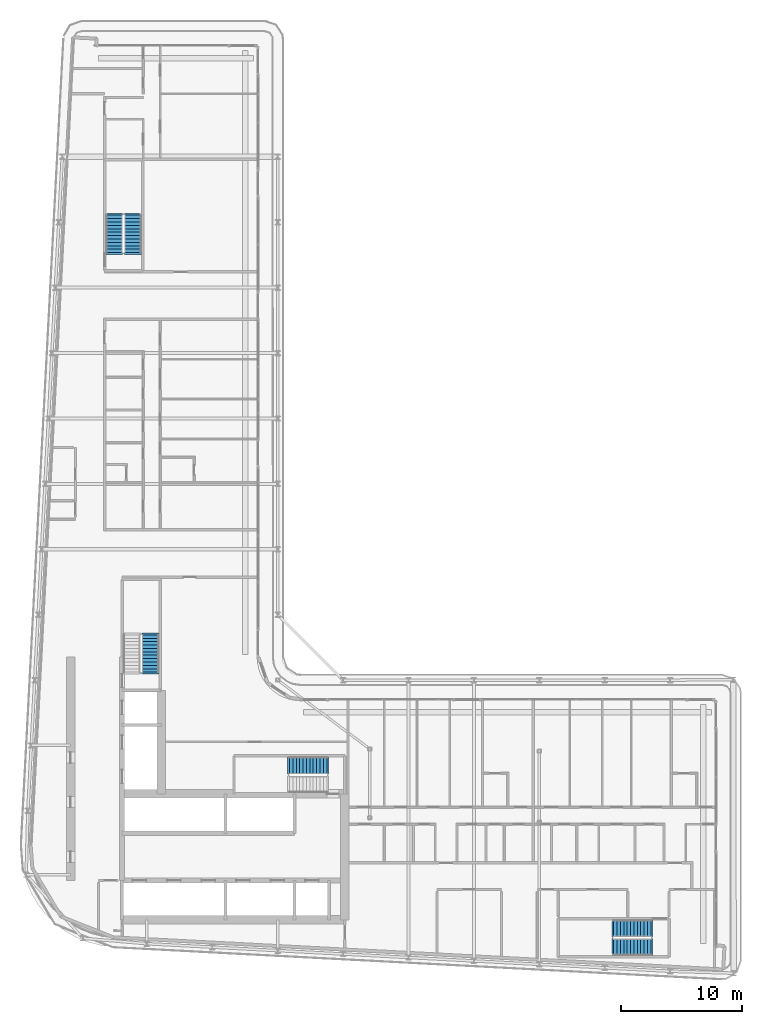
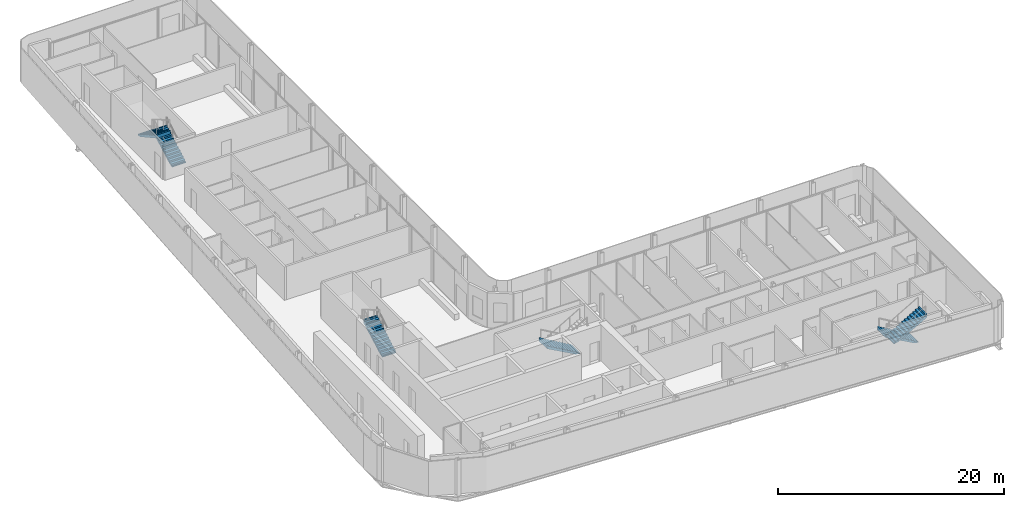
# One storey, part 16 of 23: 6 stair flights, 4 elements without a shape of their own.
"""IFC4 building model written with IfcOpenShell, lengths in metres."""

from ifc_helpers import new_model, si_unit, direction, frame, origin, place, context, subcontext, project, spatial, polyline, outline, extrude, material, layer, layer_set, type_object, element, aggregate, save


model = new_model("IFC4")

# Units and contexts
model_context = context("Model", 3, precision=1e-05, world=origin(), true_north=direction((0.0, 1.0)))
body_context = subcontext(model_context, "Body", "Model", "MODEL_VIEW")
ifc_project = project(units=[si_unit("LENGTHUNIT", "METRE"), si_unit("AREAUNIT", "SQUARE_METRE"), si_unit("VOLUMEUNIT", "CUBIC_METRE"), si_unit("PLANEANGLEUNIT", "RADIAN"), si_unit("MASSUNIT", "GRAM", prefix="KILO")], contexts=[model_context])

# Site, building, storey
site_placement = place(None, origin())
site = spatial("IfcSite", under=ifc_project, at=site_placement, CompositionType="ELEMENT")
building_placement = place(site_placement, origin())
building = spatial("IfcBuilding", under=site, at=building_placement, Name="Kheshtan School and Residences Tower", CompositionType="ELEMENT")
storey_placement = place(building_placement, frame((0.0, 0.0, 243.5)))
storey = spatial("IfcBuildingStorey", under=building, at=storey_placement, Name="L57", CompositionType="ELEMENT", Elevation=243.5)

# Stair, stair flight
ifc_material = material(Name="Concrete C40/50", Category="concrete")
stair_type = type_object("IfcStairType", Name="Exit stair, half-turn", PredefinedType="HALF_TURN_STAIR", material=ifc_material)
stair_1_placement = place(storey_placement, origin())
stair_1 = element("IfcStair", 1, at=stair_1_placement, inside=storey, type_object=stair_type, Name="L57 Protected Exit Stair ST1", PredefinedType="HALF_TURN_STAIR")
ifc_layer = layer(ifc_material, 0.14990234375)
ifc_layer_set = layer_set([ifc_layer], Name="Stair flight 1400 Concrete C40/50")
stair_flight_type = type_object("IfcStairFlightType", Name="Stair flight 1400 Concrete C40/50", PredefinedType="STRAIGHT", material=ifc_layer_set)
stair_flight_1_placement = place(storey_placement, frame((51.64990234375, 38.550048828125, 0.0), z_axis=(0.0, 0.0, 1.0), x_axis=(-1.0, 0.0, 0.0)))
stair_flight_1 = element("IfcStairFlight", 2, at=stair_flight_1_placement, type_object=stair_flight_type, Name="ST1 flight 1", NumberOfRisers=12, NumberOfTreads=11, PredefinedType="STRAIGHT", RiserHeight=0.1625, TreadLength=0.28, context=body_context, shape_type="SweptSolid", body=[
    extrude(outline(polyline([(-0.14990234375, -0.10009765625), (-0.14990234375, 0.0), (0.0, 0.0), (0.0, 0.16259765625), (0.280029296875, 0.16259765625), (0.280029296875, 0.324951171875), (0.56005859375, 0.324951171875), (0.56005859375, 0.487548828125), (0.840087890625, 0.487548828125), (0.840087890625, 0.64990234375), (1.1201171875, 0.64990234375), (1.1201171875, 0.8125), (1.39990234375, 0.8125), (1.39990234375, 0.97509765625), (1.679931640625, 0.97509765625), (1.679931640625, 1.137451171875), (1.9599609375, 1.137451171875), (1.9599609375, 1.300048828125), (2.239990234375, 1.300048828125), (2.239990234375, 1.46240234375), (2.52001953125, 1.46240234375), (2.52001953125, 1.625), (2.800048828125, 1.625), (2.800048828125, 1.78759765625), (3.080078125, 1.78759765625), (3.080078125, 1.949951171875), (3.080078125, 1.969970703125), (3.22998046875, 1.969970703125), (3.22998046875, 1.6142578125), (0.298583984375, 0.0), (-0.14990234375, -0.10009765625)])), frame((0.0, 0.699951171875, 0.0), z_axis=(0.0, -1.0, 0.0), x_axis=(1.0, 0.0, 0.0)), (0.0, 0.0, 1.0), 1.39990234375),
])
aggregate(stair_1, [stair_flight_1])

stair_2_placement = place(storey_placement, origin())
stair_2 = element("IfcStair", 3, at=stair_2_placement, inside=storey, type_object=stair_type, Name="L57 Protected Exit Stair ST2", PredefinedType="HALF_TURN_STAIR")
stair_flight_2_placement = place(storey_placement, frame((37.10009765625, 46.25, 0.0), z_axis=(0.0, 0.0, 1.0), x_axis=(0.0, 1.0, 0.0)))
stair_flight_2 = element("IfcStairFlight", 4, at=stair_flight_2_placement, type_object=stair_flight_type, Name="ST2 flight 1", NumberOfRisers=12, NumberOfTreads=11, PredefinedType="STRAIGHT", RiserHeight=0.1625, TreadLength=0.28, context=body_context, shape_type="SweptSolid", body=[
    extrude(outline(polyline([(-0.14990234375, -0.10009765625), (-0.14990234375, 0.0), (0.0, 0.0), (0.0, 0.16259765625), (0.280029296875, 0.16259765625), (0.280029296875, 0.324951171875), (0.56005859375, 0.324951171875), (0.56005859375, 0.487548828125), (0.840087890625, 0.487548828125), (0.840087890625, 0.64990234375), (1.1201171875, 0.64990234375), (1.1201171875, 0.8125), (1.39990234375, 0.8125), (1.39990234375, 0.97509765625), (1.679931640625, 0.97509765625), (1.679931640625, 1.137451171875), (1.9599609375, 1.137451171875), (1.9599609375, 1.300048828125), (2.239990234375, 1.300048828125), (2.239990234375, 1.46240234375), (2.52001953125, 1.46240234375), (2.52001953125, 1.625), (2.800048828125, 1.625), (2.800048828125, 1.78759765625), (3.080078125, 1.78759765625), (3.080078125, 1.949951171875), (3.080078125, 1.969970703125), (3.22998046875, 1.969970703125), (3.22998046875, 1.6142578125), (0.298583984375, 0.0), (-0.14990234375, -0.10009765625)])), frame((0.0, 0.699951171875, 0.0), z_axis=(0.0, -1.0, 0.0), x_axis=(1.0, 0.0, 0.0)), (0.0, 0.0, 1.0), 1.39990234375),
])
aggregate(stair_2, [stair_flight_2])

# Stair, stair flights
stair_3_placement = place(storey_placement, origin())
stair_3 = element("IfcStair", 5, at=stair_3_placement, inside=storey, type_object=stair_type, Name="L57 Protected Exit Stair ST3", PredefinedType="HALF_TURN_STAIR")
stair_flight_3_placement = place(storey_placement, frame((35.64990234375, 80.89990234375, 0.0), z_axis=(0.0, 0.0, 1.0), x_axis=(0.0, 1.0, 0.0)))
stair_flight_3 = element("IfcStairFlight", 6, at=stair_flight_3_placement, type_object=stair_flight_type, Name="ST3 flight 1", NumberOfRisers=12, NumberOfTreads=11, PredefinedType="STRAIGHT", RiserHeight=0.1625, TreadLength=0.28, context=body_context, shape_type="SweptSolid", body=[
    extrude(outline(polyline([(-0.14990234375, -0.10009765625), (-0.14990234375, 0.0), (0.0, 0.0), (0.0, 0.16259765625), (0.280029296875, 0.16259765625), (0.280029296875, 0.324951171875), (0.56005859375, 0.324951171875), (0.56005859375, 0.487548828125), (0.840087890625, 0.487548828125), (0.840087890625, 0.64990234375), (1.1201171875, 0.64990234375), (1.1201171875, 0.8125), (1.39990234375, 0.8125), (1.39990234375, 0.97509765625), (1.679931640625, 0.97509765625), (1.679931640625, 1.137451171875), (1.9599609375, 1.137451171875), (1.9599609375, 1.300048828125), (2.239990234375, 1.300048828125), (2.239990234375, 1.46240234375), (2.52001953125, 1.46240234375), (2.52001953125, 1.625), (2.800048828125, 1.625), (2.800048828125, 1.78759765625), (3.080078125, 1.78759765625), (3.080078125, 1.949951171875), (3.080078125, 1.969970703125), (3.22998046875, 1.969970703125), (3.22998046875, 1.6142578125), (0.298583984375, 0.0), (-0.14990234375, -0.10009765625)])), frame((0.0, 0.699951171875, 0.0), z_axis=(0.0, -1.0, 0.0), x_axis=(1.0, 0.0, 0.0)), (0.0, 0.0, 1.0), 1.39990234375),
])
stair_flight_4_placement = place(storey_placement, frame((34.10009765625, 83.97998046875, 1.949951171875), z_axis=(0.0, 0.0, 1.0), x_axis=(0.0, -1.0, 0.0)))
stair_flight_4 = element("IfcStairFlight", 7, at=stair_flight_4_placement, type_object=stair_flight_type, Name="ST3 flight 2", NumberOfRisers=12, NumberOfTreads=11, PredefinedType="STRAIGHT", RiserHeight=0.1625, TreadLength=0.28, context=body_context, shape_type="SweptSolid", body=[
    extrude(outline(polyline([(-0.14990234375, -0.10009765625), (-0.14990234375, 0.0), (0.0, 0.0), (0.0, 0.16259765625), (0.280029296875, 0.16259765625), (0.280029296875, 0.324951171875), (0.56005859375, 0.324951171875), (0.56005859375, 0.487548828125), (0.840087890625, 0.487548828125), (0.840087890625, 0.64990234375), (1.1201171875, 0.64990234375), (1.1201171875, 0.8125), (1.39990234375, 0.8125), (1.39990234375, 0.97509765625), (1.679931640625, 0.97509765625), (1.679931640625, 1.137451171875), (1.9599609375, 1.137451171875), (1.9599609375, 1.300048828125), (2.239990234375, 1.300048828125), (2.239990234375, 1.46240234375), (2.52001953125, 1.46240234375), (2.52001953125, 1.625), (2.800048828125, 1.625), (2.800048828125, 1.78759765625), (3.080078125, 1.78759765625), (3.080078125, 1.949951171875), (3.080078125, 1.969970703125), (3.22998046875, 1.969970703125), (3.22998046875, 1.6142578125), (0.298583984375, 0.0), (-0.14990234375, -0.10009765625)])), frame((0.0, 0.699951171875, 0.0), z_axis=(0.0, -1.0, 0.0), x_axis=(1.0, 0.0, 0.0)), (0.0, 0.0, 1.0), 1.39990234375),
])
aggregate(stair_3, [stair_flight_3, stair_flight_4])

stair_4_placement = place(storey_placement, origin())
stair_4 = element("IfcStair", 8, at=stair_4_placement, inside=storey, type_object=stair_type, Name="L57 Protected Exit Stair ST5", PredefinedType="HALF_TURN_STAIR")
stair_flight_5_placement = place(storey_placement, frame((78.409912109375, 25.10009765625, 0.0), z_axis=(0.0, 0.0, 1.0), x_axis=(-1.0, 0.0, 0.0)))
stair_flight_5 = element("IfcStairFlight", 9, at=stair_flight_5_placement, type_object=stair_flight_type, Name="ST5 flight 1", NumberOfRisers=12, NumberOfTreads=11, PredefinedType="STRAIGHT", RiserHeight=0.1625, TreadLength=0.28, context=body_context, shape_type="SweptSolid", body=[
    extrude(outline(polyline([(-0.14990234375, -0.10009765625), (-0.14990234375, 0.0), (0.0, 0.0), (0.0, 0.16259765625), (0.280029296875, 0.16259765625), (0.280029296875, 0.324951171875), (0.56005859375, 0.324951171875), (0.56005859375, 0.487548828125), (0.840087890625, 0.487548828125), (0.840087890625, 0.64990234375), (1.1201171875, 0.64990234375), (1.1201171875, 0.8125), (1.39990234375, 0.8125), (1.39990234375, 0.97509765625), (1.679931640625, 0.97509765625), (1.679931640625, 1.137451171875), (1.9599609375, 1.137451171875), (1.9599609375, 1.300048828125), (2.239990234375, 1.300048828125), (2.239990234375, 1.46240234375), (2.52001953125, 1.46240234375), (2.52001953125, 1.625), (2.800048828125, 1.625), (2.800048828125, 1.78759765625), (3.080078125, 1.78759765625), (3.080078125, 1.949951171875), (3.080078125, 1.969970703125), (3.22998046875, 1.969970703125), (3.22998046875, 1.6142578125), (0.298583984375, 0.0), (-0.14990234375, -0.10009765625)])), frame((0.0, 0.699951171875, 0.0), z_axis=(0.0, -1.0, 0.0), x_axis=(1.0, 0.0, 0.0)), (0.0, 0.0, 1.0), 1.39990234375),
])
stair_flight_6_placement = place(storey_placement, frame((75.330078125, 23.550048828125, 1.949951171875), z_axis=(0.0, 0.0, 1.0), x_axis=(1.0, 0.0, 0.0)))
stair_flight_6 = element("IfcStairFlight", 10, at=stair_flight_6_placement, type_object=stair_flight_type, Name="ST5 flight 2", NumberOfRisers=12, NumberOfTreads=11, PredefinedType="STRAIGHT", RiserHeight=0.1625, TreadLength=0.28, context=body_context, shape_type="SweptSolid", body=[
    extrude(outline(polyline([(-0.14990234375, -0.10009765625), (-0.14990234375, 0.0), (0.0, 0.0), (0.0, 0.16259765625), (0.280029296875, 0.16259765625), (0.280029296875, 0.324951171875), (0.56005859375, 0.324951171875), (0.56005859375, 0.487548828125), (0.840087890625, 0.487548828125), (0.840087890625, 0.64990234375), (1.1201171875, 0.64990234375), (1.1201171875, 0.8125), (1.39990234375, 0.8125), (1.39990234375, 0.97509765625), (1.679931640625, 0.97509765625), (1.679931640625, 1.137451171875), (1.9599609375, 1.137451171875), (1.9599609375, 1.300048828125), (2.239990234375, 1.300048828125), (2.239990234375, 1.46240234375), (2.52001953125, 1.46240234375), (2.52001953125, 1.625), (2.800048828125, 1.625), (2.800048828125, 1.78759765625), (3.080078125, 1.78759765625), (3.080078125, 1.949951171875), (3.080078125, 1.969970703125), (3.22998046875, 1.969970703125), (3.22998046875, 1.6142578125), (0.298583984375, 0.0), (-0.14990234375, -0.10009765625)])), frame((0.0, 0.699951171875, 0.0), z_axis=(0.0, -1.0, 0.0), x_axis=(1.0, 0.0, 0.0)), (0.0, 0.0, 1.0), 1.39990234375),
])
aggregate(stair_4, [stair_flight_5, stair_flight_6])

save(model, "model.ifc")
